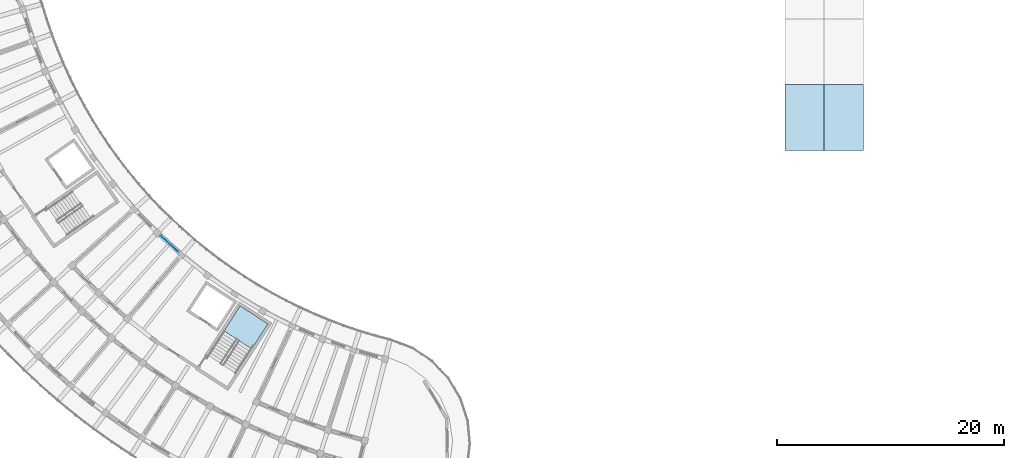
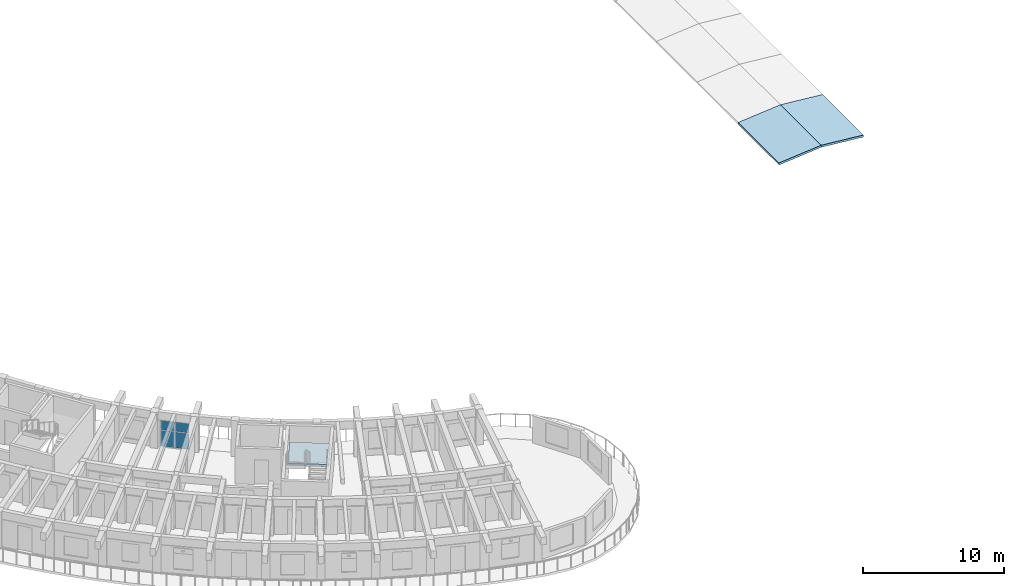
# One storey, part 18 of 69: 4 plates, 3 slabs, 2 elements without a shape of their own.
"""IFC4 building model written with IfcOpenShell, lengths in metres."""

from ifc_helpers import new_model, si_unit, direction, frame, origin, origin_2d, place, context, subcontext, project, spatial, polyline, rectangle, outline, extrude, material, layer, layer_set, type_object, element, aggregate, save


model = new_model("IFC4")

# Units and contexts
model_context = context("Model", 3, precision=1e-05, world=origin(), true_north=direction((0.0, 1.0)))
body_context = subcontext(model_context, "Body", "Model", "MODEL_VIEW")
ifc_project = project(units=[si_unit("LENGTHUNIT", "METRE"), si_unit("AREAUNIT", "SQUARE_METRE"), si_unit("VOLUMEUNIT", "CUBIC_METRE"), si_unit("PLANEANGLEUNIT", "RADIAN"), si_unit("MASSUNIT", "GRAM", prefix="KILO")], contexts=[model_context])

# Site, building, storey
site_placement = place(None, origin())
site = spatial("IfcSite", under=ifc_project, at=site_placement, CompositionType="ELEMENT")
building_placement = place(site_placement, origin())
building = spatial("IfcBuilding", under=site, at=building_placement, Name="Tanwirah Colonnade Gardens", CompositionType="ELEMENT")
storey_placement = place(building_placement, frame((0.0, 0.0, 15.56005859375)))
storey = spatial("IfcBuildingStorey", under=building, at=storey_placement, Name="L04", CompositionType="ELEMENT", Elevation=15.56005859375)

# Curtain wall, plates
ifc_material_1 = material(Name="Bronze-anodised aluminium and solar-control low-E glass", Category="aluminium")
curtain_wall_type = type_object("IfcCurtainWallType", Name="CW-GDN", PredefinedType="NOTDEFINED", material=ifc_material_1)
curtain_wall_placement = place(storey_placement, origin())
curtain_wall = element("IfcCurtainWall", 1, at=curtain_wall_placement, inside=storey, type_object=curtain_wall_type, Name="Curtain Wall CW-C-L04-IN-08", PredefinedType="NOTDEFINED")
ifc_material_2 = material(Name="Solar-control low-E double glazing", Category="glass")
ifc_layer_1 = layer(ifc_material_2, 0.028076171875)
ifc_layer_set_1 = layer_set([ifc_layer_1], Name="Solar-control low-E double glazing")
plate_type = type_object("IfcPlateType", Name="CWP-GLZ28", PredefinedType="CURTAIN_PANEL", material=ifc_layer_set_1)
plate_1_placement = place(storey_placement, frame((34.806396484375, 31.90673828125, 0.059814453125), z_axis=(0.0, 0.0, 1.0), x_axis=(0.741682643058, -0.670750964954, 0.0)))
plate_1 = element("IfcPlate", 2, at=plate_1_placement, type_object=plate_type, Name="CW-GDN panel 1.1", PredefinedType="CURTAIN_PANEL", context=body_context, shape_type="SweptSolid", body=[
    extrude(rectangle(XDim=1.00439453125, YDim=0.028076171875, at=origin_2d()), origin(), (0.0, 0.0, 1.0), 1.3701171875),
])
plate_2_placement = place(storey_placement, frame((34.806396484375, 31.90673828125, 1.490234375), z_axis=(0.0, 0.0, 1.0), x_axis=(0.741682643058, -0.670750964954, 0.0)))
plate_2 = element("IfcPlate", 3, at=plate_2_placement, type_object=plate_type, Name="CW-GDN panel 1.2", PredefinedType="CURTAIN_PANEL", context=body_context, shape_type="SweptSolid", body=[
    extrude(rectangle(XDim=1.00439453125, YDim=0.028076171875, at=origin_2d()), origin(), (0.0, 0.0, 1.0), 0.804931640625),
])
plate_3_placement = place(storey_placement, frame((35.595703125, 31.19287109375, 0.059814453125), z_axis=(0.0, 0.0, 1.0), x_axis=(0.741682643058, -0.670750964954, 0.0)))
plate_3 = element("IfcPlate", 4, at=plate_3_placement, type_object=plate_type, Name="CW-GDN panel 2.1", PredefinedType="CURTAIN_PANEL", context=body_context, shape_type="SweptSolid", body=[
    extrude(rectangle(XDim=1.00439453125, YDim=0.028076171875, at=origin_2d()), origin(), (0.0, 0.0, 1.0), 1.3701171875),
])
plate_4_placement = place(storey_placement, frame((35.595703125, 31.19287109375, 1.490234375), z_axis=(0.0, 0.0, 1.0), x_axis=(0.741682643058, -0.670750964954, 0.0)))
plate_4 = element("IfcPlate", 5, at=plate_4_placement, type_object=plate_type, Name="CW-GDN panel 2.2", PredefinedType="CURTAIN_PANEL", context=body_context, shape_type="SweptSolid", body=[
    extrude(rectangle(XDim=1.00439453125, YDim=0.028076171875, at=origin_2d()), origin(), (0.0, 0.0, 1.0), 0.804931640625),
])
aggregate(curtain_wall, [plate_1, plate_2, plate_3, plate_4])

# Slabs
ifc_material_3 = material(Name="Precast concrete C45/55", Category="concrete")
ifc_layer_2 = layer(ifc_material_3, 0.179931640625)
ifc_layer_set_2 = layer_set([ifc_layer_2], Name="Precast concrete C45/55")
slab_type_1 = type_object("IfcSlabType", Name="RF-VAULT-180", PredefinedType="ROOF", material=ifc_layer_set_2)
for number, where, z_axis, x_axis, name in (
    (6, (89.53076171875, 39.800048828125, 0.733642578125), (-0.093674946513, 0.0, 0.995602834666), (0.995602834666, 0.0, 0.093674946513), "Community Hall Barrel Vault Roof Strip 1.5"),
    (7, (93.0, 39.800048828125, 1.06005859375), (0.093674946513, 0.0, 0.995602834666), (0.995602834666, 0.0, -0.093674946513), "Community Hall Barrel Vault Roof Strip 1.6"),
):
    element("IfcSlab", number, at=place(storey_placement, frame(where, z_axis=z_axis, x_axis=x_axis)), inside=storey, type_object=slab_type_1, Name=name, PredefinedType="ROOF", context=body_context, shape_type="SweptSolid", body=[
        extrude(outline(polyline([(0.0, 0.0), (3.484560469750375, 0.0), (3.484560469750375, 5.800048828125), (0.0, 5.800048828125), (0.0, 0.0)])), origin(), (0.0, 0.0, -1.0), 0.179931640625),
    ])

# Stair, slab
ifc_material_4 = material(Name="Precast concrete C40/50", Category="concrete")
stair_type = type_object("IfcStairType", Name="ST-RES168", PredefinedType="HALF_TURN_STAIR", material=ifc_material_4)
stair_placement = place(storey_placement, origin())
stair = element("IfcStair", 8, at=stair_placement, inside=storey, type_object=stair_type, Name="L04 Block C Core 2 Exit Stair", PredefinedType="HALF_TURN_STAIR")
ifc_layer_3 = layer(ifc_material_4, 0.205078125)
ifc_layer_set_3 = layer_set([ifc_layer_3], Name="Precast concrete C40/50")
slab_type_2 = type_object("IfcSlabType", Name="SL-LND-205", PredefinedType="LANDING", material=ifc_layer_set_3)
slab_placement = place(storey_placement, frame((0.0, 0.0, 1.474853515625)))
slab = element("IfcSlab", 9, at=slab_placement, type_object=slab_type_2, Name="ST-C2 landing 1", PredefinedType="LANDING", context=body_context, shape_type="SweptSolid", body=[
    extrude(outline(polyline([(42.467529296875, 22.27490234375), (43.902587890625, 24.48486328125), (41.45361328125, 26.0751953125), (40.0185546875, 23.865234375), (42.467529296875, 22.27490234375)])), origin(), (0.0, 0.0, 1.0), 0.205078125),
])
aggregate(stair, [slab])

save(model, "model.ifc")
